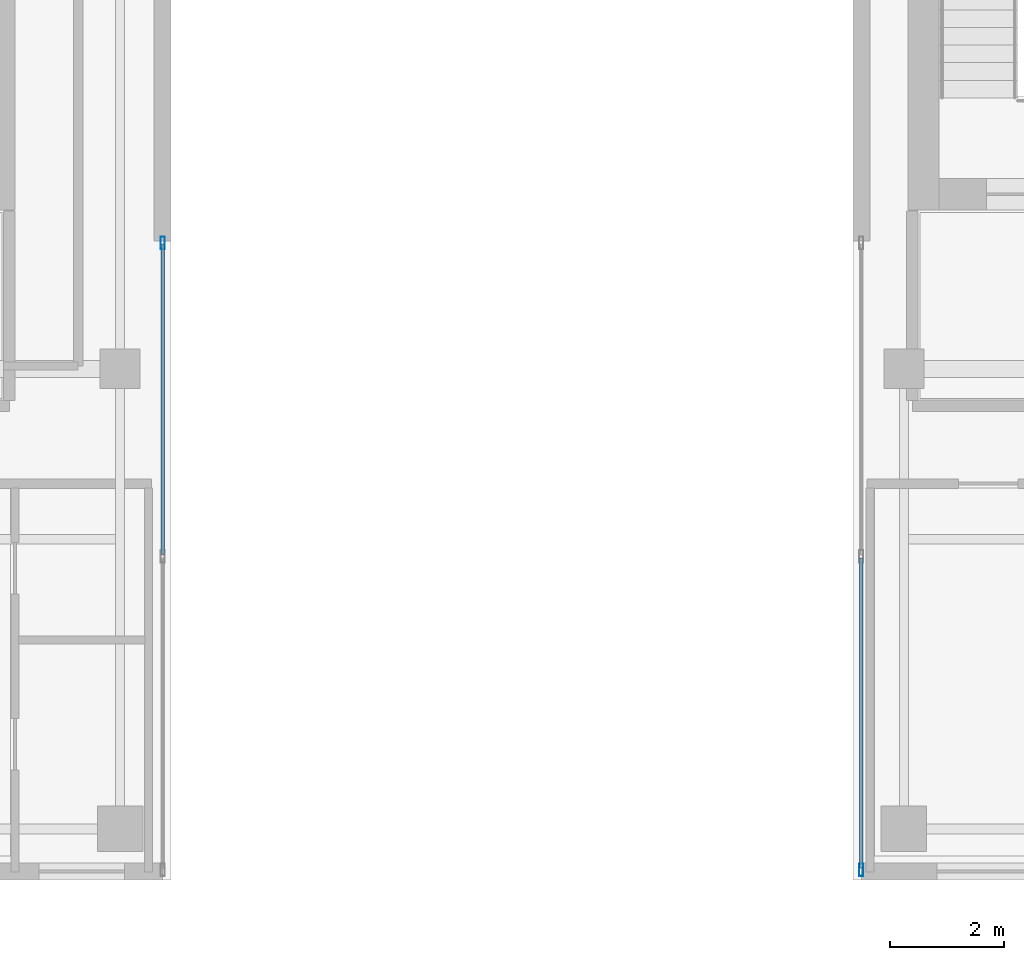
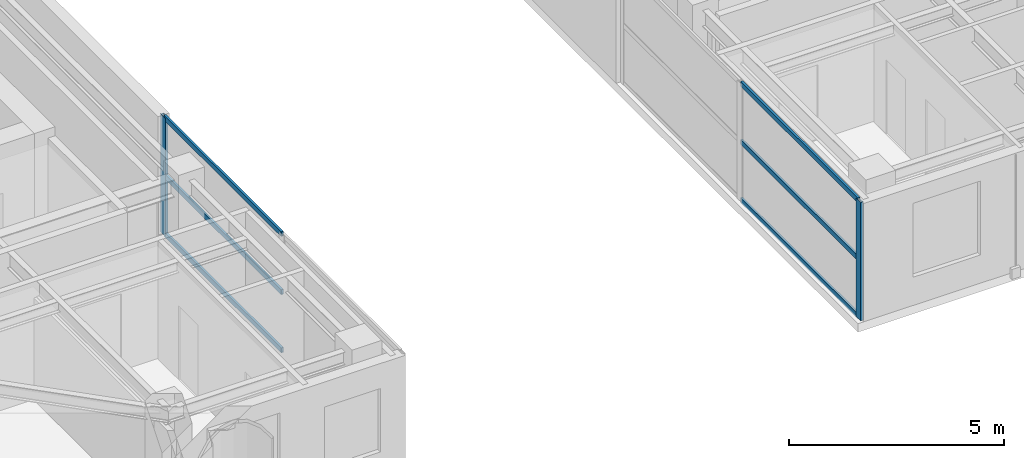
# One storey, part 4 of 24: 8 members, 2 elements without a shape of their own.
"""IFC4 building model written with IfcOpenShell, lengths in metres."""

from ifc_helpers import new_model, si_unit, direction, frame, origin, origin_2d, place, context, subcontext, project, spatial, hollow_rectangle, extrude, source, transform, mapped, material, layer, layer_set, material_profile, profile_set, type_object, element, aggregate, save


model = new_model("IFC4")

# Units and contexts
model_context = context("Model", 3, precision=1e-05, world=origin(), true_north=direction((0.0, 1.0)))
body_context = subcontext(model_context, "Body", "Model", "MODEL_VIEW")
ifc_project = project(units=[si_unit("LENGTHUNIT", "METRE"), si_unit("AREAUNIT", "SQUARE_METRE"), si_unit("VOLUMEUNIT", "CUBIC_METRE"), si_unit("PLANEANGLEUNIT", "RADIAN"), si_unit("MASSUNIT", "GRAM", prefix="KILO")], contexts=[model_context])

# Site, building, storey
site_placement = place(None, origin())
site = spatial("IfcSite", under=ifc_project, at=site_placement, CompositionType="ELEMENT")
building_placement = place(site_placement, origin())
building = spatial("IfcBuilding", under=site, at=building_placement, Name="Khoralis Quay Care Tower", CompositionType="ELEMENT")
storey_placement = place(building_placement, frame((0.0, 0.0, 238.5)))
storey = spatial("IfcBuildingStorey", under=building, at=storey_placement, Name="L62", CompositionType="ELEMENT", Elevation=238.5)

# Curtain wall, member
ifc_material = material(Name="Pale anodised aluminium", Category="aluminium")
ifc_layer = layer(ifc_material, 0.18994140625)
ifc_layer_set = layer_set([ifc_layer], Name="Pale anodised aluminium")
curtain_wall_type = type_object("IfcCurtainWallType", Name="CW-SYS-PORTAL", PredefinedType="NOTDEFINED", material=ifc_layer_set)
curtain_wall_1_placement = place(storey_placement, origin())
curtain_wall_1 = element("IfcCurtainWall", 1, at=curtain_wall_1_placement, inside=storey, type_object=curtain_wall_type, Name="L62 Unitised Curtain Wall CW-VP-L62-P1-S", PredefinedType="NOTDEFINED")
ifc_material_profile_1 = material_profile(ifc_material, hollow_rectangle(XDim=0.074951171875, YDim=0.219970703125, WallThickness=0.00390625, at=origin_2d()), Name="Pale anodised aluminium")
ifc_profile_set_1 = profile_set([ifc_material_profile_1], Name="Pale anodised aluminium")
member_type_1 = type_object("IfcMemberType", Name="CW-MUL-220", PredefinedType="MULLION", material=ifc_profile_set_1)
shared_shape_1 = source(origin(), body_context, "Body", "SweptSolid", [
    extrude(hollow_rectangle(XDim=0.074951171875, YDim=0.219970703125, WallThickness=0.00390625, at=origin_2d()), origin(), (0.0, 0.0, 1.0), 3.360107421875),
])
member_1_placement = place(storey_placement, frame((17.85009765625, 14.219970703125, 0.0), z_axis=(0.0, 0.0, 1.0), x_axis=(-1.0, 0.0, 0.0)))
member_1 = element("IfcMember", 2, at=member_1_placement, type_object=member_type_1, Name="CW4 mullion 3", PredefinedType="MULLION", context=body_context, shape_type="MappedRepresentation", body=[
    mapped(shared_shape_1, transform((0.0, 0.0, 0.0), scale=1.0)),
])

curtain_wall_2_placement = place(storey_placement, origin())
curtain_wall_2 = element("IfcCurtainWall", 3, at=curtain_wall_2_placement, inside=storey, type_object=curtain_wall_type, Name="L62 Unitised Curtain Wall CW-VP-L62-P2-S", PredefinedType="NOTDEFINED")
member_2_placement = place(storey_placement, frame((30.14990234375, 3.179931640625, 0.0), z_axis=(0.0, 0.0, 1.0), x_axis=(-1.0, 0.0, 0.0)))
member_2 = element("IfcMember", 4, at=member_2_placement, type_object=member_type_1, Name="CW4 mullion 1", PredefinedType="MULLION", context=body_context, shape_type="MappedRepresentation", body=[
    mapped(shared_shape_1, transform((0.0, 0.0, 0.0), scale=1.0)),
])

# Member
ifc_material_profile_2 = material_profile(ifc_material, hollow_rectangle(XDim=0.06005859375, YDim=0.139892578125, WallThickness=0.00390625, at=origin_2d()), Name="Pale anodised aluminium")
ifc_profile_set_2 = profile_set([ifc_material_profile_2], Name="Pale anodised aluminium")
member_type_2 = type_object("IfcMemberType", Name="CW-TRN-140", PredefinedType="USERDEFINED", material=ifc_profile_set_2)
shared_shape_2 = source(origin(), body_context, "Body", "SweptSolid", [
    extrude(hollow_rectangle(XDim=0.06005859375, YDim=0.139892578125, WallThickness=0.00390625, at=origin_2d()), origin(), (0.0, 0.0, 1.0), 5.4599609375),
])
member_3_placement = place(storey_placement, frame((17.85009765625, 8.72998046875, 0.030029296875), z_axis=(0.0, 1.0, 0.0), x_axis=(-1.0, 0.0, 0.0)))
member_3 = element("IfcMember", 5, at=member_3_placement, type_object=member_type_2, Name="CW4 transom 2.1", ObjectType="TRANSOM", PredefinedType="USERDEFINED", context=body_context, shape_type="MappedRepresentation", body=[
    mapped(shared_shape_2, transform((0.0, 0.0, 0.0), scale=1.0)),
])

member_4_placement = place(storey_placement, frame((17.85009765625, 8.72998046875, 1.679931640625), z_axis=(0.0, 1.0, 0.0), x_axis=(-1.0, 0.0, 0.0)))
member_4 = element("IfcMember", 6, at=member_4_placement, type_object=member_type_2, Name="CW4 transom 2.2", ObjectType="TRANSOM", PredefinedType="USERDEFINED", context=body_context, shape_type="MappedRepresentation", body=[
    mapped(shared_shape_2, transform((0.0, 0.0, 0.0), scale=1.0)),
])

member_5_placement = place(storey_placement, frame((17.85009765625, 8.72998046875, 3.330078125), z_axis=(0.0, 1.0, 0.0), x_axis=(-1.0, 0.0, 0.0)))
member_5 = element("IfcMember", 7, at=member_5_placement, type_object=member_type_2, Name="CW4 transom 2.3", ObjectType="TRANSOM", PredefinedType="USERDEFINED", context=body_context, shape_type="MappedRepresentation", body=[
    mapped(shared_shape_2, transform((0.0, 0.0, 0.0), scale=1.0)),
])

aggregate(curtain_wall_1, [member_1, member_3, member_4, member_5])

member_6_placement = place(storey_placement, frame((30.14990234375, 3.2099609375, 0.030029296875), z_axis=(0.0, 1.0, 0.0), x_axis=(-1.0, 0.0, 0.0)))
member_6 = element("IfcMember", 8, at=member_6_placement, type_object=member_type_2, Name="CW4 transom 1.1", ObjectType="TRANSOM", PredefinedType="USERDEFINED", context=body_context, shape_type="MappedRepresentation", body=[
    mapped(shared_shape_2, transform((0.0, 0.0, 0.0), scale=1.0)),
])

member_7_placement = place(storey_placement, frame((30.14990234375, 3.2099609375, 1.679931640625), z_axis=(0.0, 1.0, 0.0), x_axis=(-1.0, 0.0, 0.0)))
member_7 = element("IfcMember", 9, at=member_7_placement, type_object=member_type_2, Name="CW4 transom 1.2", ObjectType="TRANSOM", PredefinedType="USERDEFINED", context=body_context, shape_type="MappedRepresentation", body=[
    mapped(shared_shape_2, transform((0.0, 0.0, 0.0), scale=1.0)),
])

member_8_placement = place(storey_placement, frame((30.14990234375, 3.2099609375, 3.330078125), z_axis=(0.0, 1.0, 0.0), x_axis=(-1.0, 0.0, 0.0)))
member_8 = element("IfcMember", 10, at=member_8_placement, type_object=member_type_2, Name="CW4 transom 1.3", ObjectType="TRANSOM", PredefinedType="USERDEFINED", context=body_context, shape_type="MappedRepresentation", body=[
    mapped(shared_shape_2, transform((0.0, 0.0, 0.0), scale=1.0)),
])

aggregate(curtain_wall_2, [member_2, member_6, member_7, member_8])

save(model, "model.ifc")
